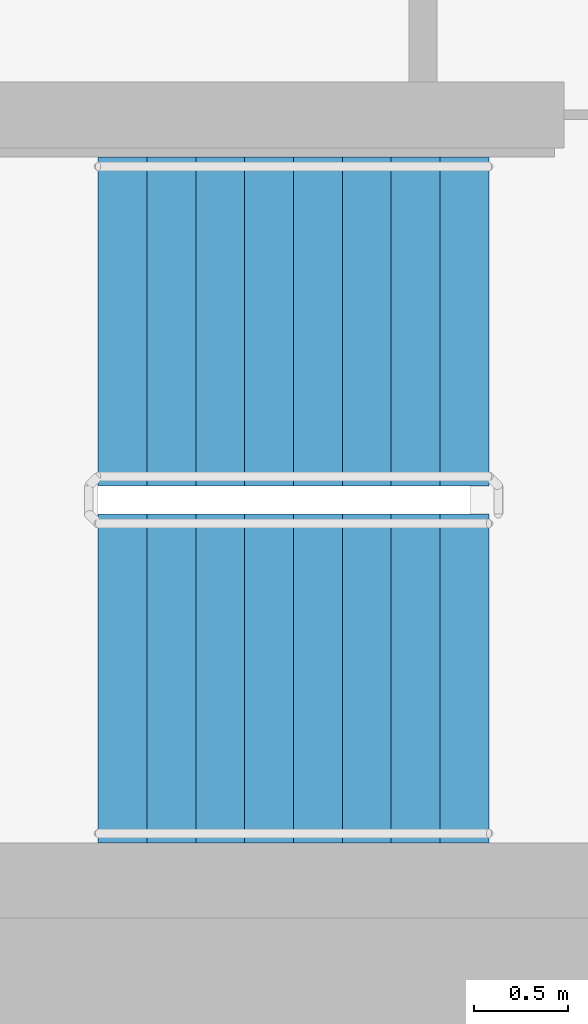
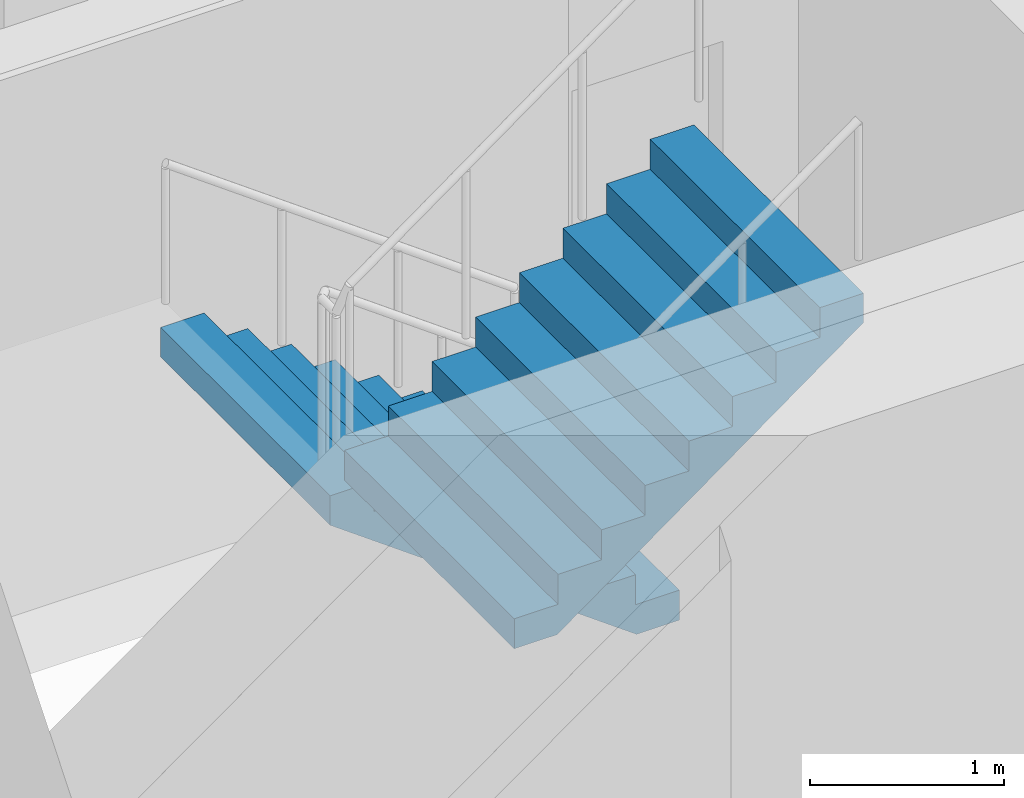
# One storey, part 14 of 20: 2 stair flights, 1 element without a shape of its own.
"""IFC4 building model written with IfcOpenShell, lengths in metres."""

from ifc_helpers import new_model, si_unit, direction, frame, origin, place, context, subcontext, project, spatial, faceted_brep, material, type_object, element, aggregate, save


model = new_model("IFC4")

# Units and contexts
model_context = context("Model", 3, precision=1e-05, world=origin(), true_north=direction((0.0, 1.0)))
body_context = subcontext(model_context, "Body", "Model", "MODEL_VIEW")
ifc_project = project(units=[si_unit("LENGTHUNIT", "METRE"), si_unit("AREAUNIT", "SQUARE_METRE"), si_unit("VOLUMEUNIT", "CUBIC_METRE"), si_unit("PLANEANGLEUNIT", "RADIAN"), si_unit("MASSUNIT", "GRAM", prefix="KILO")], contexts=[model_context])

# Site, building, storey
site_placement = place(None, origin())
site = spatial("IfcSite", under=ifc_project, at=site_placement, CompositionType="ELEMENT")
building_placement = place(site_placement, origin())
building = spatial("IfcBuilding", under=site, at=building_placement, Name="Ipe Terrace Towers", CompositionType="ELEMENT")
storey_placement = place(building_placement, frame((0.0, 0.0, 167.699951171875)))
storey = spatial("IfcBuildingStorey", under=building, at=storey_placement, Name="L46", CompositionType="ELEMENT", Elevation=167.699951171875)

# Stair, stair flights
ifc_material_1 = material(Name="Concrete C30/37", Category="concrete")
stair_type = type_object("IfcStairType", Name="Protected exit stair", PredefinedType="HALF_TURN_STAIR", material=ifc_material_1)
stair_placement = place(storey_placement, origin())
stair = element("IfcStair", 1, at=stair_placement, inside=storey, type_object=stair_type, Name="L46 Exit stair T1-C2", PredefinedType="HALF_TURN_STAIR")
ifc_material_2 = material(Name="Concrete C30/37", Category="concrete")
stair_flight_type = type_object("IfcStairFlightType", Name="Exit stair flight 1750", PredefinedType="STRAIGHT", material=ifc_material_2)
stair_flight_1_placement = place(storey_placement, frame((-45.699951171875, -2.77490234375, 0.0), z_axis=(0.0, 0.0, 1.0), x_axis=(-1.0, 0.0, 0.0)))
stair_flight_1 = element("IfcStairFlight", 2, at=stair_flight_1_placement, type_object=stair_flight_type, Name="T1-ST2 flight 1", NumberOfRisers=9, NumberOfTreads=8, PredefinedType="STRAIGHT", RiserHeight=0.188888889, TreadLength=0.26, context=body_context, shape_type="Brep", body=[
    faceted_brep([(0.255126953125, -0.875, 0.0), (2.080078125, -0.875, 1.325927734375), (2.080078125, -0.875, 1.51123046875), (1.820068359375, -0.875, 1.51123046875), (1.820068359375, -0.875, 1.322265625), (1.56005859375, -0.875, 1.322265625), (1.56005859375, -0.875, 1.13330078125), (1.300048828125, -0.875, 1.13330078125), (1.300048828125, -0.875, 0.9443359375), (1.0400390625, -0.875, 0.9443359375), (1.0400390625, -0.875, 0.755615234375), (0.780029296875, -0.875, 0.755615234375), (0.780029296875, -0.875, 0.566650390625), (0.52001953125, -0.875, 0.566650390625), (0.52001953125, -0.875, 0.377685546875), (0.260009765625, -0.875, 0.377685546875), (0.260009765625, -0.875, 0.18896484375), (0.0, -0.875, 0.18896484375), (0.0, -0.875, 0.0), (0.0, 0.875, 0.0), (0.0, 0.875, 0.18896484375), (0.260009765625, 0.875, 0.18896484375), (0.260009765625, 0.875, 0.377685546875), (0.52001953125, 0.875, 0.377685546875), (0.52001953125, 0.875, 0.566650390625), (0.780029296875, 0.875, 0.566650390625), (0.780029296875, 0.875, 0.755615234375), (1.0400390625, 0.875, 0.755615234375), (1.0400390625, 0.875, 0.9443359375), (1.300048828125, 0.875, 0.9443359375), (1.300048828125, 0.875, 1.13330078125), (1.56005859375, 0.875, 1.13330078125), (1.56005859375, 0.875, 1.322265625), (1.820068359375, 0.875, 1.322265625), (1.820068359375, 0.875, 1.51123046875), (2.080078125, 0.875, 1.51123046875), (2.080078125, 0.875, 1.325927734375), (0.255126953125, 0.875, 0.0), (0.0, -0.300048828125, 0.18896484375), (0.0, -0.1201171875, 0.18896484375), (0.0, -0.06005859375, 0.18896484375), (0.0, -0.030029296875, 0.18896484375), (0.0, -0.010009765625, 0.18896484375), (0.0, 0.0, 0.18896484375), (0.0, 0.010009765625, 0.18896484375), (0.0, 0.030029296875, 0.18896484375), (0.0, 0.06005859375, 0.18896484375), (0.0, 0.1201171875, 0.18896484375), (0.0, 0.300048828125, 0.18896484375), (0.0, 0.300048828125, 0.0), (0.0, 0.1201171875, 0.0), (0.0, 0.06005859375, 0.0), (0.0, 0.030029296875, 0.0), (0.0, 0.010009765625, 0.0), (0.0, 0.0, 0.0), (0.0, -0.010009765625, 0.0), (0.0, -0.030029296875, 0.0), (0.0, -0.06005859375, 0.0), (0.0, -0.1201171875, 0.0), (0.0, -0.300048828125, 0.0), (0.260009765625, -0.300048828125, 0.18896484375), (0.260009765625, -0.1201171875, 0.18896484375), (0.260009765625, -0.06005859375, 0.18896484375), (0.260009765625, -0.030029296875, 0.18896484375), (0.260009765625, -0.010009765625, 0.18896484375), (0.260009765625, 0.0, 0.18896484375), (0.260009765625, 0.010009765625, 0.18896484375), (0.260009765625, 0.030029296875, 0.18896484375), (0.260009765625, 0.06005859375, 0.18896484375), (0.260009765625, 0.1201171875, 0.18896484375), (0.260009765625, 0.300048828125, 0.18896484375), (0.260009765625, -0.300048828125, 0.377685546875), (0.260009765625, -0.1201171875, 0.377685546875), (0.260009765625, -0.06005859375, 0.377685546875), (0.260009765625, -0.030029296875, 0.377685546875), (0.260009765625, -0.010009765625, 0.377685546875), (0.260009765625, 0.0, 0.377685546875), (0.260009765625, 0.010009765625, 0.377685546875), (0.260009765625, 0.030029296875, 0.377685546875), (0.260009765625, 0.06005859375, 0.377685546875), (0.260009765625, 0.1201171875, 0.377685546875), (0.260009765625, 0.300048828125, 0.377685546875), (0.52001953125, -0.300048828125, 0.377685546875), (0.52001953125, -0.1201171875, 0.377685546875), (0.52001953125, -0.06005859375, 0.377685546875), (0.52001953125, -0.030029296875, 0.377685546875), (0.52001953125, -0.010009765625, 0.377685546875), (0.52001953125, 0.0, 0.377685546875), (0.52001953125, 0.010009765625, 0.377685546875), (0.52001953125, 0.030029296875, 0.377685546875), (0.52001953125, 0.06005859375, 0.377685546875), (0.52001953125, 0.1201171875, 0.377685546875), (0.52001953125, 0.300048828125, 0.377685546875), (0.52001953125, -0.300048828125, 0.566650390625), (0.52001953125, -0.1201171875, 0.566650390625), (0.52001953125, -0.06005859375, 0.566650390625), (0.52001953125, -0.030029296875, 0.566650390625), (0.52001953125, -0.010009765625, 0.566650390625), (0.52001953125, 0.0, 0.566650390625), (0.52001953125, 0.010009765625, 0.566650390625), (0.52001953125, 0.030029296875, 0.566650390625), (0.52001953125, 0.06005859375, 0.566650390625), (0.52001953125, 0.1201171875, 0.566650390625), (0.52001953125, 0.300048828125, 0.566650390625), (0.780029296875, -0.300048828125, 0.566650390625), (0.780029296875, -0.1201171875, 0.566650390625), (0.780029296875, -0.06005859375, 0.566650390625), (0.780029296875, -0.030029296875, 0.566650390625), (0.780029296875, -0.010009765625, 0.566650390625), (0.780029296875, 0.0, 0.566650390625), (0.780029296875, 0.010009765625, 0.566650390625), (0.780029296875, 0.030029296875, 0.566650390625), (0.780029296875, 0.06005859375, 0.566650390625), (0.780029296875, 0.1201171875, 0.566650390625), (0.780029296875, 0.300048828125, 0.566650390625), (0.780029296875, -0.300048828125, 0.755615234375), (0.780029296875, -0.1201171875, 0.755615234375), (0.780029296875, -0.06005859375, 0.755615234375), (0.780029296875, -0.030029296875, 0.755615234375), (0.780029296875, -0.010009765625, 0.755615234375), (0.780029296875, 0.0, 0.755615234375), (0.780029296875, 0.010009765625, 0.755615234375), (0.780029296875, 0.030029296875, 0.755615234375), (0.780029296875, 0.06005859375, 0.755615234375), (0.780029296875, 0.1201171875, 0.755615234375), (0.780029296875, 0.300048828125, 0.755615234375), (1.0400390625, -0.300048828125, 0.755615234375), (1.0400390625, -0.1201171875, 0.755615234375), (1.0400390625, -0.06005859375, 0.755615234375), (1.0400390625, -0.030029296875, 0.755615234375), (1.0400390625, -0.010009765625, 0.755615234375), (1.0400390625, 0.0, 0.755615234375), (1.0400390625, 0.010009765625, 0.755615234375), (1.0400390625, 0.030029296875, 0.755615234375), (1.0400390625, 0.06005859375, 0.755615234375), (1.0400390625, 0.1201171875, 0.755615234375), (1.0400390625, 0.300048828125, 0.755615234375), (1.0400390625, -0.300048828125, 0.9443359375), (1.0400390625, -0.1201171875, 0.9443359375), (1.0400390625, -0.06005859375, 0.9443359375), (1.0400390625, -0.030029296875, 0.9443359375), (1.0400390625, -0.010009765625, 0.9443359375), (1.0400390625, 0.0, 0.9443359375), (1.0400390625, 0.010009765625, 0.9443359375), (1.0400390625, 0.030029296875, 0.9443359375), (1.0400390625, 0.06005859375, 0.9443359375), (1.0400390625, 0.1201171875, 0.9443359375), (1.0400390625, 0.300048828125, 0.9443359375), (1.300048828125, -0.300048828125, 0.9443359375), (1.300048828125, -0.1201171875, 0.9443359375), (1.300048828125, -0.06005859375, 0.9443359375), (1.300048828125, -0.030029296875, 0.9443359375), (1.300048828125, -0.010009765625, 0.9443359375), (1.300048828125, 0.0, 0.9443359375), (1.300048828125, 0.010009765625, 0.9443359375), (1.300048828125, 0.030029296875, 0.9443359375), (1.300048828125, 0.06005859375, 0.9443359375), (1.300048828125, 0.1201171875, 0.9443359375), (1.300048828125, 0.300048828125, 0.9443359375), (1.300048828125, -0.300048828125, 1.13330078125), (1.300048828125, -0.1201171875, 1.13330078125), (1.300048828125, -0.06005859375, 1.13330078125), (1.300048828125, -0.030029296875, 1.13330078125), (1.300048828125, -0.010009765625, 1.13330078125), (1.300048828125, 0.0, 1.13330078125), (1.300048828125, 0.010009765625, 1.13330078125), (1.300048828125, 0.030029296875, 1.13330078125), (1.300048828125, 0.06005859375, 1.13330078125), (1.300048828125, 0.1201171875, 1.13330078125), (1.300048828125, 0.300048828125, 1.13330078125), (1.56005859375, -0.300048828125, 1.13330078125), (1.56005859375, -0.1201171875, 1.13330078125), (1.56005859375, -0.06005859375, 1.13330078125), (1.56005859375, -0.030029296875, 1.13330078125), (1.56005859375, -0.010009765625, 1.13330078125), (1.56005859375, 0.0, 1.13330078125), (1.56005859375, 0.010009765625, 1.13330078125), (1.56005859375, 0.030029296875, 1.13330078125), (1.56005859375, 0.06005859375, 1.13330078125), (1.56005859375, 0.1201171875, 1.13330078125), (1.56005859375, 0.300048828125, 1.13330078125), (1.56005859375, -0.300048828125, 1.322265625), (1.56005859375, -0.1201171875, 1.322265625), (1.56005859375, -0.06005859375, 1.322265625), (1.56005859375, -0.030029296875, 1.322265625), (1.56005859375, -0.010009765625, 1.322265625), (1.56005859375, 0.0, 1.322265625), (1.56005859375, 0.010009765625, 1.322265625), (1.56005859375, 0.030029296875, 1.322265625), (1.56005859375, 0.06005859375, 1.322265625), (1.56005859375, 0.1201171875, 1.322265625), (1.56005859375, 0.300048828125, 1.322265625), (1.820068359375, -0.300048828125, 1.322265625), (1.820068359375, -0.1201171875, 1.322265625), (1.820068359375, -0.06005859375, 1.322265625), (1.820068359375, -0.030029296875, 1.322265625), (1.820068359375, -0.010009765625, 1.322265625), (1.820068359375, 0.0, 1.322265625), (1.820068359375, 0.010009765625, 1.322265625), (1.820068359375, 0.030029296875, 1.322265625), (1.820068359375, 0.06005859375, 1.322265625), (1.820068359375, 0.1201171875, 1.322265625), (1.820068359375, 0.300048828125, 1.322265625), (1.820068359375, -0.300048828125, 1.51123046875), (1.820068359375, -0.1201171875, 1.51123046875), (1.820068359375, -0.06005859375, 1.51123046875), (1.820068359375, -0.030029296875, 1.51123046875), (1.820068359375, -0.010009765625, 1.51123046875), (1.820068359375, 0.0, 1.51123046875), (1.820068359375, 0.010009765625, 1.51123046875), (1.820068359375, 0.030029296875, 1.51123046875), (1.820068359375, 0.06005859375, 1.51123046875), (1.820068359375, 0.1201171875, 1.51123046875), (1.820068359375, 0.300048828125, 1.51123046875), (2.080078125, -0.300048828125, 1.51123046875), (2.080078125, -0.1201171875, 1.51123046875), (2.080078125, -0.06005859375, 1.51123046875), (2.080078125, -0.030029296875, 1.51123046875), (2.080078125, -0.010009765625, 1.51123046875), (2.080078125, 0.0, 1.51123046875), (2.080078125, 0.010009765625, 1.51123046875), (2.080078125, 0.030029296875, 1.51123046875), (2.080078125, 0.06005859375, 1.51123046875), (2.080078125, 0.1201171875, 1.51123046875), (2.080078125, 0.300048828125, 1.51123046875), (2.080078125, -0.300048828125, 1.325927734375), (2.080078125, -0.1201171875, 1.325927734375), (2.080078125, -0.06005859375, 1.325927734375), (2.080078125, -0.030029296875, 1.325927734375), (2.080078125, -0.010009765625, 1.325927734375), (2.080078125, 0.0, 1.325927734375), (2.080078125, 0.010009765625, 1.325927734375), (2.080078125, 0.030029296875, 1.325927734375), (2.080078125, 0.06005859375, 1.325927734375), (2.080078125, 0.1201171875, 1.325927734375), (2.080078125, 0.300048828125, 1.325927734375), (0.255126953125, -0.300048828125, 0.0), (0.255126953125, -0.1201171875, 0.0), (0.255126953125, -0.06005859375, 0.0), (0.255126953125, -0.030029296875, 0.0), (0.255126953125, -0.010009765625, 0.0), (0.255126953125, 0.0, 0.0), (0.255126953125, 0.010009765625, 0.0), (0.255126953125, 0.030029296875, 0.0), (0.255126953125, 0.06005859375, 0.0), (0.255126953125, 0.1201171875, 0.0), (0.255126953125, 0.300048828125, 0.0)], [[[0, 1, 2, 3, 4, 5, 6, 7, 8, 9, 10, 11, 12, 13, 14, 15, 16, 17, 18]], [[19, 20, 21, 22, 23, 24, 25, 26, 27, 28, 29, 30, 31, 32, 33, 34, 35, 36, 37]], [[17, 38, 39, 40, 41, 42, 43, 44, 45, 46, 47, 48, 20, 19, 49, 50, 51, 52, 53, 54, 55, 56, 57, 58, 59, 18]], [[16, 60, 61, 62, 63, 64, 65, 66, 67, 68, 69, 70, 21, 20, 48, 47, 46, 45, 44, 43, 42, 41, 40, 39, 38, 17]], [[15, 71, 72, 73, 74, 75, 76, 77, 78, 79, 80, 81, 22, 21, 70, 69, 68, 67, 66, 65, 64, 63, 62, 61, 60, 16]], [[14, 82, 83, 84, 85, 86, 87, 88, 89, 90, 91, 92, 23, 22, 81, 80, 79, 78, 77, 76, 75, 74, 73, 72, 71, 15]], [[13, 93, 94, 95, 96, 97, 98, 99, 100, 101, 102, 103, 24, 23, 92, 91, 90, 89, 88, 87, 86, 85, 84, 83, 82, 14]], [[12, 104, 105, 106, 107, 108, 109, 110, 111, 112, 113, 114, 25, 24, 103, 102, 101, 100, 99, 98, 97, 96, 95, 94, 93, 13]], [[11, 115, 116, 117, 118, 119, 120, 121, 122, 123, 124, 125, 26, 25, 114, 113, 112, 111, 110, 109, 108, 107, 106, 105, 104, 12]], [[10, 126, 127, 128, 129, 130, 131, 132, 133, 134, 135, 136, 27, 26, 125, 124, 123, 122, 121, 120, 119, 118, 117, 116, 115, 11]], [[9, 137, 138, 139, 140, 141, 142, 143, 144, 145, 146, 147, 28, 27, 136, 135, 134, 133, 132, 131, 130, 129, 128, 127, 126, 10]], [[8, 148, 149, 150, 151, 152, 153, 154, 155, 156, 157, 158, 29, 28, 147, 146, 145, 144, 143, 142, 141, 140, 139, 138, 137, 9]], [[7, 159, 160, 161, 162, 163, 164, 165, 166, 167, 168, 169, 30, 29, 158, 157, 156, 155, 154, 153, 152, 151, 150, 149, 148, 8]], [[6, 170, 171, 172, 173, 174, 175, 176, 177, 178, 179, 180, 31, 30, 169, 168, 167, 166, 165, 164, 163, 162, 161, 160, 159, 7]], [[5, 181, 182, 183, 184, 185, 186, 187, 188, 189, 190, 191, 32, 31, 180, 179, 178, 177, 176, 175, 174, 173, 172, 171, 170, 6]], [[4, 192, 193, 194, 195, 196, 197, 198, 199, 200, 201, 202, 33, 32, 191, 190, 189, 188, 187, 186, 185, 184, 183, 182, 181, 5]], [[3, 203, 204, 205, 206, 207, 208, 209, 210, 211, 212, 213, 34, 33, 202, 201, 200, 199, 198, 197, 196, 195, 194, 193, 192, 4]], [[2, 214, 215, 216, 217, 218, 219, 220, 221, 222, 223, 224, 35, 34, 213, 212, 211, 210, 209, 208, 207, 206, 205, 204, 203, 3]], [[1, 225, 226, 227, 228, 229, 230, 231, 232, 233, 234, 235, 36, 35, 224, 223, 222, 221, 220, 219, 218, 217, 216, 215, 214, 2]], [[0, 236, 237, 238, 239, 240, 241, 242, 243, 244, 245, 246, 37, 36, 235, 234, 233, 232, 231, 230, 229, 228, 227, 226, 225, 1]], [[18, 59, 58, 57, 56, 55, 54, 53, 52, 51, 50, 49, 19, 37, 246, 245, 244, 243, 242, 241, 240, 239, 238, 237, 236, 0]]]),
])
stair_flight_2_placement = place(storey_placement, frame((-47.780029296875, -4.675048828125, 1.699951171875), z_axis=(0.0, 0.0, 1.0), x_axis=(1.0, 0.0, 0.0)))
stair_flight_2 = element("IfcStairFlight", 3, at=stair_flight_2_placement, type_object=stair_flight_type, Name="T1-ST2 flight 2", NumberOfRisers=9, NumberOfTreads=8, PredefinedType="STRAIGHT", RiserHeight=0.188888889, TreadLength=0.26, context=body_context, shape_type="Brep", body=[
    faceted_brep([(0.255126953125, -0.875, 0.0), (2.080078125, -0.875, 1.325927734375), (2.080078125, -0.875, 1.51123046875), (1.820068359375, -0.875, 1.51123046875), (1.820068359375, -0.875, 1.322265625), (1.56005859375, -0.875, 1.322265625), (1.56005859375, -0.875, 1.13330078125), (1.300048828125, -0.875, 1.13330078125), (1.300048828125, -0.875, 0.9443359375), (1.0400390625, -0.875, 0.9443359375), (1.0400390625, -0.875, 0.755615234375), (0.780029296875, -0.875, 0.755615234375), (0.780029296875, -0.875, 0.566650390625), (0.52001953125, -0.875, 0.566650390625), (0.52001953125, -0.875, 0.377685546875), (0.260009765625, -0.875, 0.377685546875), (0.260009765625, -0.875, 0.18896484375), (0.0, -0.875, 0.18896484375), (0.0, -0.875, 0.0), (0.0, 0.875, 0.0), (0.0, 0.875, 0.18896484375), (0.260009765625, 0.875, 0.18896484375), (0.260009765625, 0.875, 0.377685546875), (0.52001953125, 0.875, 0.377685546875), (0.52001953125, 0.875, 0.566650390625), (0.780029296875, 0.875, 0.566650390625), (0.780029296875, 0.875, 0.755615234375), (1.0400390625, 0.875, 0.755615234375), (1.0400390625, 0.875, 0.9443359375), (1.300048828125, 0.875, 0.9443359375), (1.300048828125, 0.875, 1.13330078125), (1.56005859375, 0.875, 1.13330078125), (1.56005859375, 0.875, 1.322265625), (1.820068359375, 0.875, 1.322265625), (1.820068359375, 0.875, 1.51123046875), (2.080078125, 0.875, 1.51123046875), (2.080078125, 0.875, 1.325927734375), (0.255126953125, 0.875, 0.0), (0.0, -0.300048828125, 0.18896484375), (0.0, -0.1201171875, 0.18896484375), (0.0, -0.06005859375, 0.18896484375), (0.0, -0.030029296875, 0.18896484375), (0.0, -0.010009765625, 0.18896484375), (0.0, 0.0, 0.18896484375), (0.0, 0.010009765625, 0.18896484375), (0.0, 0.030029296875, 0.18896484375), (0.0, 0.06005859375, 0.18896484375), (0.0, 0.1201171875, 0.18896484375), (0.0, 0.300048828125, 0.18896484375), (0.0, 0.300048828125, 0.0), (0.0, 0.1201171875, 0.0), (0.0, 0.06005859375, 0.0), (0.0, 0.030029296875, 0.0), (0.0, 0.010009765625, 0.0), (0.0, 0.0, 0.0), (0.0, -0.010009765625, 0.0), (0.0, -0.030029296875, 0.0), (0.0, -0.06005859375, 0.0), (0.0, -0.1201171875, 0.0), (0.0, -0.300048828125, 0.0), (0.260009765625, -0.300048828125, 0.18896484375), (0.260009765625, -0.1201171875, 0.18896484375), (0.260009765625, -0.06005859375, 0.18896484375), (0.260009765625, -0.030029296875, 0.18896484375), (0.260009765625, -0.010009765625, 0.18896484375), (0.260009765625, 0.0, 0.18896484375), (0.260009765625, 0.010009765625, 0.18896484375), (0.260009765625, 0.030029296875, 0.18896484375), (0.260009765625, 0.06005859375, 0.18896484375), (0.260009765625, 0.1201171875, 0.18896484375), (0.260009765625, 0.300048828125, 0.18896484375), (0.260009765625, -0.300048828125, 0.377685546875), (0.260009765625, -0.1201171875, 0.377685546875), (0.260009765625, -0.06005859375, 0.377685546875), (0.260009765625, -0.030029296875, 0.377685546875), (0.260009765625, -0.010009765625, 0.377685546875), (0.260009765625, 0.0, 0.377685546875), (0.260009765625, 0.010009765625, 0.377685546875), (0.260009765625, 0.030029296875, 0.377685546875), (0.260009765625, 0.06005859375, 0.377685546875), (0.260009765625, 0.1201171875, 0.377685546875), (0.260009765625, 0.300048828125, 0.377685546875), (0.52001953125, -0.300048828125, 0.377685546875), (0.52001953125, -0.1201171875, 0.377685546875), (0.52001953125, -0.06005859375, 0.377685546875), (0.52001953125, -0.030029296875, 0.377685546875), (0.52001953125, -0.010009765625, 0.377685546875), (0.52001953125, 0.0, 0.377685546875), (0.52001953125, 0.010009765625, 0.377685546875), (0.52001953125, 0.030029296875, 0.377685546875), (0.52001953125, 0.06005859375, 0.377685546875), (0.52001953125, 0.1201171875, 0.377685546875), (0.52001953125, 0.300048828125, 0.377685546875), (0.52001953125, -0.300048828125, 0.566650390625), (0.52001953125, -0.1201171875, 0.566650390625), (0.52001953125, -0.06005859375, 0.566650390625), (0.52001953125, -0.030029296875, 0.566650390625), (0.52001953125, -0.010009765625, 0.566650390625), (0.52001953125, 0.0, 0.566650390625), (0.52001953125, 0.010009765625, 0.566650390625), (0.52001953125, 0.030029296875, 0.566650390625), (0.52001953125, 0.06005859375, 0.566650390625), (0.52001953125, 0.1201171875, 0.566650390625), (0.52001953125, 0.300048828125, 0.566650390625), (0.780029296875, -0.300048828125, 0.566650390625), (0.780029296875, -0.1201171875, 0.566650390625), (0.780029296875, -0.06005859375, 0.566650390625), (0.780029296875, -0.030029296875, 0.566650390625), (0.780029296875, -0.010009765625, 0.566650390625), (0.780029296875, 0.0, 0.566650390625), (0.780029296875, 0.010009765625, 0.566650390625), (0.780029296875, 0.030029296875, 0.566650390625), (0.780029296875, 0.06005859375, 0.566650390625), (0.780029296875, 0.1201171875, 0.566650390625), (0.780029296875, 0.300048828125, 0.566650390625), (0.780029296875, -0.300048828125, 0.755615234375), (0.780029296875, -0.1201171875, 0.755615234375), (0.780029296875, -0.06005859375, 0.755615234375), (0.780029296875, -0.030029296875, 0.755615234375), (0.780029296875, -0.010009765625, 0.755615234375), (0.780029296875, 0.0, 0.755615234375), (0.780029296875, 0.010009765625, 0.755615234375), (0.780029296875, 0.030029296875, 0.755615234375), (0.780029296875, 0.06005859375, 0.755615234375), (0.780029296875, 0.1201171875, 0.755615234375), (0.780029296875, 0.300048828125, 0.755615234375), (1.0400390625, -0.300048828125, 0.755615234375), (1.0400390625, -0.1201171875, 0.755615234375), (1.0400390625, -0.06005859375, 0.755615234375), (1.0400390625, -0.030029296875, 0.755615234375), (1.0400390625, -0.010009765625, 0.755615234375), (1.0400390625, 0.0, 0.755615234375), (1.0400390625, 0.010009765625, 0.755615234375), (1.0400390625, 0.030029296875, 0.755615234375), (1.0400390625, 0.06005859375, 0.755615234375), (1.0400390625, 0.1201171875, 0.755615234375), (1.0400390625, 0.300048828125, 0.755615234375), (1.0400390625, -0.300048828125, 0.9443359375), (1.0400390625, -0.1201171875, 0.9443359375), (1.0400390625, -0.06005859375, 0.9443359375), (1.0400390625, -0.030029296875, 0.9443359375), (1.0400390625, -0.010009765625, 0.9443359375), (1.0400390625, 0.0, 0.9443359375), (1.0400390625, 0.010009765625, 0.9443359375), (1.0400390625, 0.030029296875, 0.9443359375), (1.0400390625, 0.06005859375, 0.9443359375), (1.0400390625, 0.1201171875, 0.9443359375), (1.0400390625, 0.300048828125, 0.9443359375), (1.300048828125, -0.300048828125, 0.9443359375), (1.300048828125, -0.1201171875, 0.9443359375), (1.300048828125, -0.06005859375, 0.9443359375), (1.300048828125, -0.030029296875, 0.9443359375), (1.300048828125, -0.010009765625, 0.9443359375), (1.300048828125, 0.0, 0.9443359375), (1.300048828125, 0.010009765625, 0.9443359375), (1.300048828125, 0.030029296875, 0.9443359375), (1.300048828125, 0.06005859375, 0.9443359375), (1.300048828125, 0.1201171875, 0.9443359375), (1.300048828125, 0.300048828125, 0.9443359375), (1.300048828125, -0.300048828125, 1.13330078125), (1.300048828125, -0.1201171875, 1.13330078125), (1.300048828125, -0.06005859375, 1.13330078125), (1.300048828125, -0.030029296875, 1.13330078125), (1.300048828125, -0.010009765625, 1.13330078125), (1.300048828125, 0.0, 1.13330078125), (1.300048828125, 0.010009765625, 1.13330078125), (1.300048828125, 0.030029296875, 1.13330078125), (1.300048828125, 0.06005859375, 1.13330078125), (1.300048828125, 0.1201171875, 1.13330078125), (1.300048828125, 0.300048828125, 1.13330078125), (1.56005859375, -0.300048828125, 1.13330078125), (1.56005859375, -0.1201171875, 1.13330078125), (1.56005859375, -0.06005859375, 1.13330078125), (1.56005859375, -0.030029296875, 1.13330078125), (1.56005859375, -0.010009765625, 1.13330078125), (1.56005859375, 0.0, 1.13330078125), (1.56005859375, 0.010009765625, 1.13330078125), (1.56005859375, 0.030029296875, 1.13330078125), (1.56005859375, 0.06005859375, 1.13330078125), (1.56005859375, 0.1201171875, 1.13330078125), (1.56005859375, 0.300048828125, 1.13330078125), (1.56005859375, -0.300048828125, 1.322265625), (1.56005859375, -0.1201171875, 1.322265625), (1.56005859375, -0.06005859375, 1.322265625), (1.56005859375, -0.030029296875, 1.322265625), (1.56005859375, -0.010009765625, 1.322265625), (1.56005859375, 0.0, 1.322265625), (1.56005859375, 0.010009765625, 1.322265625), (1.56005859375, 0.030029296875, 1.322265625), (1.56005859375, 0.06005859375, 1.322265625), (1.56005859375, 0.1201171875, 1.322265625), (1.56005859375, 0.300048828125, 1.322265625), (1.820068359375, -0.300048828125, 1.322265625), (1.820068359375, -0.1201171875, 1.322265625), (1.820068359375, -0.06005859375, 1.322265625), (1.820068359375, -0.030029296875, 1.322265625), (1.820068359375, -0.010009765625, 1.322265625), (1.820068359375, 0.0, 1.322265625), (1.820068359375, 0.010009765625, 1.322265625), (1.820068359375, 0.030029296875, 1.322265625), (1.820068359375, 0.06005859375, 1.322265625), (1.820068359375, 0.1201171875, 1.322265625), (1.820068359375, 0.300048828125, 1.322265625), (1.820068359375, -0.300048828125, 1.51123046875), (1.820068359375, -0.1201171875, 1.51123046875), (1.820068359375, -0.06005859375, 1.51123046875), (1.820068359375, -0.030029296875, 1.51123046875), (1.820068359375, -0.010009765625, 1.51123046875), (1.820068359375, 0.0, 1.51123046875), (1.820068359375, 0.010009765625, 1.51123046875), (1.820068359375, 0.030029296875, 1.51123046875), (1.820068359375, 0.06005859375, 1.51123046875), (1.820068359375, 0.1201171875, 1.51123046875), (1.820068359375, 0.300048828125, 1.51123046875), (2.080078125, -0.300048828125, 1.51123046875), (2.080078125, -0.1201171875, 1.51123046875), (2.080078125, -0.06005859375, 1.51123046875), (2.080078125, -0.030029296875, 1.51123046875), (2.080078125, -0.010009765625, 1.51123046875), (2.080078125, 0.0, 1.51123046875), (2.080078125, 0.010009765625, 1.51123046875), (2.080078125, 0.030029296875, 1.51123046875), (2.080078125, 0.06005859375, 1.51123046875), (2.080078125, 0.1201171875, 1.51123046875), (2.080078125, 0.300048828125, 1.51123046875), (2.080078125, -0.300048828125, 1.325927734375), (2.080078125, -0.1201171875, 1.325927734375), (2.080078125, -0.06005859375, 1.325927734375), (2.080078125, -0.030029296875, 1.325927734375), (2.080078125, -0.010009765625, 1.325927734375), (2.080078125, 0.0, 1.325927734375), (2.080078125, 0.010009765625, 1.325927734375), (2.080078125, 0.030029296875, 1.325927734375), (2.080078125, 0.06005859375, 1.325927734375), (2.080078125, 0.1201171875, 1.325927734375), (2.080078125, 0.300048828125, 1.325927734375), (0.255126953125, -0.300048828125, 0.0), (0.255126953125, -0.1201171875, 0.0), (0.255126953125, -0.06005859375, 0.0), (0.255126953125, -0.030029296875, 0.0), (0.255126953125, -0.010009765625, 0.0), (0.255126953125, 0.0, 0.0), (0.255126953125, 0.010009765625, 0.0), (0.255126953125, 0.030029296875, 0.0), (0.255126953125, 0.06005859375, 0.0), (0.255126953125, 0.1201171875, 0.0), (0.255126953125, 0.300048828125, 0.0)], [[[0, 1, 2, 3, 4, 5, 6, 7, 8, 9, 10, 11, 12, 13, 14, 15, 16, 17, 18]], [[19, 20, 21, 22, 23, 24, 25, 26, 27, 28, 29, 30, 31, 32, 33, 34, 35, 36, 37]], [[17, 38, 39, 40, 41, 42, 43, 44, 45, 46, 47, 48, 20, 19, 49, 50, 51, 52, 53, 54, 55, 56, 57, 58, 59, 18]], [[16, 60, 61, 62, 63, 64, 65, 66, 67, 68, 69, 70, 21, 20, 48, 47, 46, 45, 44, 43, 42, 41, 40, 39, 38, 17]], [[15, 71, 72, 73, 74, 75, 76, 77, 78, 79, 80, 81, 22, 21, 70, 69, 68, 67, 66, 65, 64, 63, 62, 61, 60, 16]], [[14, 82, 83, 84, 85, 86, 87, 88, 89, 90, 91, 92, 23, 22, 81, 80, 79, 78, 77, 76, 75, 74, 73, 72, 71, 15]], [[13, 93, 94, 95, 96, 97, 98, 99, 100, 101, 102, 103, 24, 23, 92, 91, 90, 89, 88, 87, 86, 85, 84, 83, 82, 14]], [[12, 104, 105, 106, 107, 108, 109, 110, 111, 112, 113, 114, 25, 24, 103, 102, 101, 100, 99, 98, 97, 96, 95, 94, 93, 13]], [[11, 115, 116, 117, 118, 119, 120, 121, 122, 123, 124, 125, 26, 25, 114, 113, 112, 111, 110, 109, 108, 107, 106, 105, 104, 12]], [[10, 126, 127, 128, 129, 130, 131, 132, 133, 134, 135, 136, 27, 26, 125, 124, 123, 122, 121, 120, 119, 118, 117, 116, 115, 11]], [[9, 137, 138, 139, 140, 141, 142, 143, 144, 145, 146, 147, 28, 27, 136, 135, 134, 133, 132, 131, 130, 129, 128, 127, 126, 10]], [[8, 148, 149, 150, 151, 152, 153, 154, 155, 156, 157, 158, 29, 28, 147, 146, 145, 144, 143, 142, 141, 140, 139, 138, 137, 9]], [[7, 159, 160, 161, 162, 163, 164, 165, 166, 167, 168, 169, 30, 29, 158, 157, 156, 155, 154, 153, 152, 151, 150, 149, 148, 8]], [[6, 170, 171, 172, 173, 174, 175, 176, 177, 178, 179, 180, 31, 30, 169, 168, 167, 166, 165, 164, 163, 162, 161, 160, 159, 7]], [[5, 181, 182, 183, 184, 185, 186, 187, 188, 189, 190, 191, 32, 31, 180, 179, 178, 177, 176, 175, 174, 173, 172, 171, 170, 6]], [[4, 192, 193, 194, 195, 196, 197, 198, 199, 200, 201, 202, 33, 32, 191, 190, 189, 188, 187, 186, 185, 184, 183, 182, 181, 5]], [[3, 203, 204, 205, 206, 207, 208, 209, 210, 211, 212, 213, 34, 33, 202, 201, 200, 199, 198, 197, 196, 195, 194, 193, 192, 4]], [[2, 214, 215, 216, 217, 218, 219, 220, 221, 222, 223, 224, 35, 34, 213, 212, 211, 210, 209, 208, 207, 206, 205, 204, 203, 3]], [[1, 225, 226, 227, 228, 229, 230, 231, 232, 233, 234, 235, 36, 35, 224, 223, 222, 221, 220, 219, 218, 217, 216, 215, 214, 2]], [[0, 236, 237, 238, 239, 240, 241, 242, 243, 244, 245, 246, 37, 36, 235, 234, 233, 232, 231, 230, 229, 228, 227, 226, 225, 1]], [[18, 59, 58, 57, 56, 55, 54, 53, 52, 51, 50, 49, 19, 37, 246, 245, 244, 243, 242, 241, 240, 239, 238, 237, 236, 0]]]),
])
aggregate(stair, [stair_flight_1, stair_flight_2])

save(model, "model.ifc")
